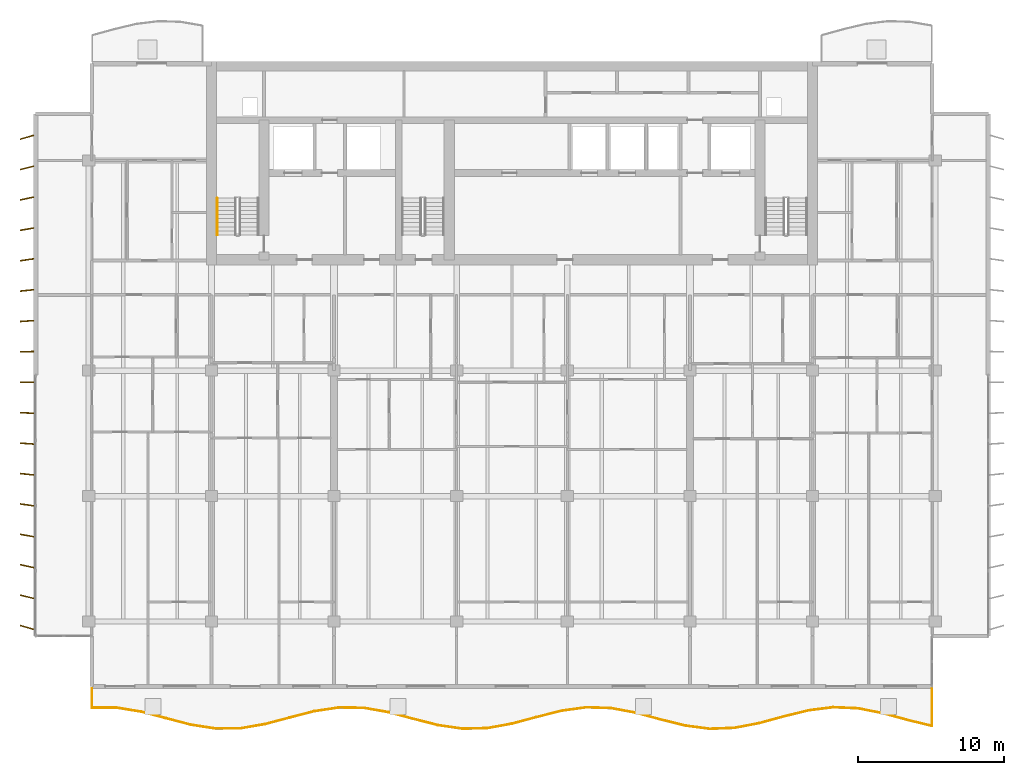
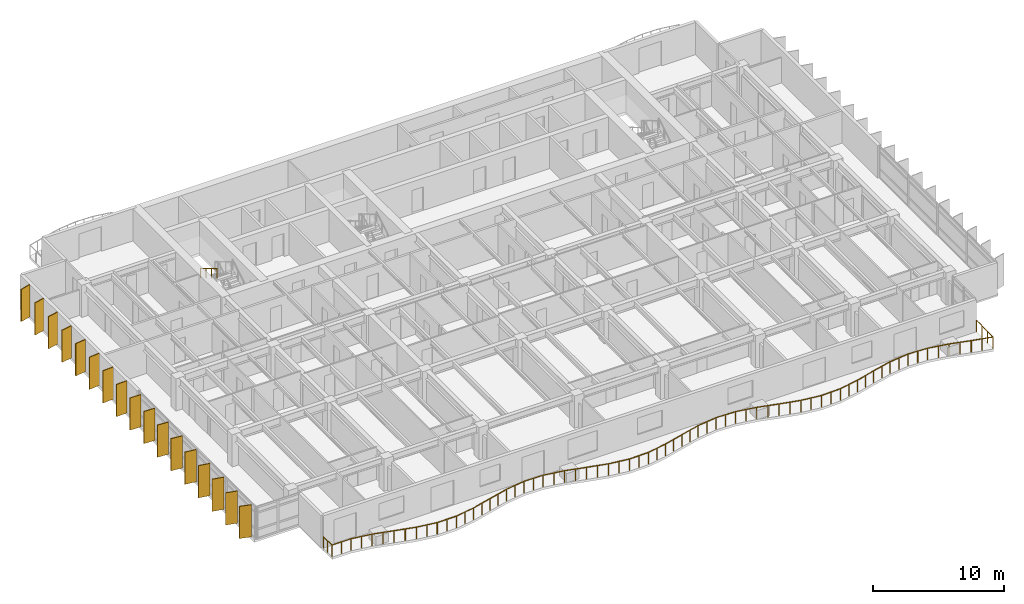
# One storey, part 15 of 18: 17 shading devices, 2 railings.
"""IFC4 building model written with IfcOpenShell, lengths in metres."""

from ifc_helpers import new_model, si_unit, direction, frame, origin, origin_2d, place, context, subcontext, project, spatial, rectangle, circle, extrude, material, material_profile, profile_set, type_object, element, save


model = new_model("IFC4")

# Units and contexts
model_context = context("Model", 3, precision=1e-05, world=origin(), true_north=direction((0.0, 1.0)))
body_context = subcontext(model_context, "Body", "Model", "MODEL_VIEW")
ifc_project = project(units=[si_unit("LENGTHUNIT", "METRE"), si_unit("AREAUNIT", "SQUARE_METRE"), si_unit("VOLUMEUNIT", "CUBIC_METRE"), si_unit("PLANEANGLEUNIT", "RADIAN"), si_unit("MASSUNIT", "GRAM", prefix="KILO")], contexts=[model_context])

# Site, building, storey
site_placement = place(None, origin())
site = spatial("IfcSite", under=ifc_project, at=site_placement, CompositionType="ELEMENT")
building_placement = place(site_placement, origin())
building = spatial("IfcBuilding", under=site, at=building_placement, Name="Caelmar Bay Residences", CompositionType="ELEMENT")
storey_placement = place(building_placement, frame((0.0, 0.0, 180.300048828125)))
storey = spatial("IfcBuildingStorey", under=building, at=storey_placement, Name="L50", CompositionType="ELEMENT", Elevation=180.300048828125)

# Railings
ifc_material_1 = material(Name="Anodised bronze handrail with laminated hurricane glass infill", Category="glass")
railing_type_1 = type_object("IfcRailingType", Name="RL-BAL-1100", PredefinedType="BALUSTRADE", material=ifc_material_1)
railing_1_placement = place(storey_placement, frame((10.10009765625, 7.60009765625, 0.0)))
element("IfcRailing", 1, at=railing_1_placement, inside=storey, type_object=railing_type_1, Name="L50 south Balcony Balustrade", PredefinedType="BALUSTRADE", context=body_context, shape_type="SweptSolid", body=[
    extrude(circle(Radius=0.02392578125, at=origin_2d()), frame((0.0, 0.0, 1.076171875), z_axis=(0.0, -1.0, 0.0), x_axis=(1.0, 0.0, 0.0)), (0.0, 0.0, 1.0), 1.306884765625),
    extrude(circle(Radius=0.02392578125, at=origin_2d()), frame((0.0, -1.306884765625, 1.076171875), z_axis=(0.999999740393, -0.000720564736, 0.0), x_axis=(0.000720564736, 0.999999740393, 0.0)), (0.0, 0.0, 1.0), 1.694091796875),
    extrude(circle(Radius=0.02392578125, at=origin_2d()), frame((1.694091796875, -1.30810546875, 1.076171875), z_axis=(0.98683994476, -0.161700103357, 0.0), x_axis=(0.161700103357, 0.98683994476, 0.0)), (0.0, 0.0, 1.0), 1.716796875),
    extrude(circle(Radius=0.02392578125, at=origin_2d()), frame((3.38818359375, -1.585693359375, 1.076171875), z_axis=(0.96700771303, -0.25474709604, 0.0), x_axis=(0.25474709604, 0.96700771303, 0.0)), (0.0, 0.0, 1.0), 1.751953125),
    extrude(circle(Radius=0.02392578125, at=origin_2d()), frame((5.082275390625, -2.031982421875, 1.076171875), z_axis=(0.967657244717, -0.252268620218, 0.0), x_axis=(0.252268620218, 0.967657244717, 0.0)), (0.0, 0.0, 1.0), 1.750732421875),
    extrude(circle(Radius=0.02392578125, at=origin_2d()), frame((6.7763671875, -2.4736328125, 1.076171875), z_axis=(0.987929781528, -0.154902378196, 0.0), x_axis=(0.154902378196, 0.987929781528, 0.0)), (0.0, 0.0, 1.0), 1.71484375),
    extrude(circle(Radius=0.02392578125, at=origin_2d()), frame((8.470458984375, -2.7392578125, 1.076171875), z_axis=(0.999967436501, 0.008070064338, 0.0), x_axis=(-0.008070064338, 0.999967436501, 0.0)), (0.0, 0.0, 1.0), 1.694091796875),
    extrude(circle(Radius=0.02392578125, at=origin_2d()), frame((10.16455078125, -2.7255859375, 1.076171875), z_axis=(0.985917520991, 0.16723229892, 0.0), x_axis=(-0.16723229892, 0.985917520991, 0.0)), (0.0, 0.0, 1.0), 1.71826171875),
    extrude(circle(Radius=0.02392578125, at=origin_2d()), frame((11.858642578125, -2.438232421875, 1.076171875), z_axis=(0.966491066483, 0.256700250112, 0.0), x_axis=(-0.256700250112, 0.966491066483, 0.0)), (0.0, 0.0, 1.0), 1.7529296875),
    extrude(circle(Radius=0.02392578125, at=origin_2d()), frame((13.552734375, -1.98828125, 1.076171875), z_axis=(0.968242469272, 0.250013041057, 0.0), x_axis=(-0.250013041057, 0.968242469272, 0.0)), (0.0, 0.0, 1.0), 1.75),
    extrude(circle(Radius=0.02392578125, at=origin_2d()), frame((15.2470703125, -1.55078125, 1.076171875), z_axis=(0.988849425774, 0.148918813941, 0.0), x_axis=(-0.148918813941, 0.988849425774, 0.0)), (0.0, 0.0, 1.0), 1.713134765625),
    extrude(circle(Radius=0.02392578125, at=origin_2d()), frame((16.941162109375, -1.295654296875, 1.076171875), z_axis=(0.99988334269, -0.015274194311, 0.0), x_axis=(0.015274194311, 0.99988334269, 0.0)), (0.0, 0.0, 1.0), 1.6943359375),
    extrude(circle(Radius=0.02392578125, at=origin_2d()), frame((18.63525390625, -1.321533203125, 1.076171875), z_axis=(0.984965924128, -0.172748743286, 0.0), x_axis=(0.172748743286, 0.984965924128, 0.0)), (0.0, 0.0, 1.0), 1.719970703125),
    extrude(circle(Radius=0.02392578125, at=origin_2d()), frame((20.329345703125, -1.61865234375, 1.076171875), z_axis=(0.966075311356, -0.258260513412, 0.0), x_axis=(0.258260513412, 0.966075311356, 0.0)), (0.0, 0.0, 1.0), 1.753662109375),
    extrude(circle(Radius=0.02392578125, at=origin_2d()), frame((22.0234375, -2.071533203125, 1.076171875), z_axis=(0.968872833609, -0.247558947109, 0.0), x_axis=(0.247558947109, 0.968872833609, 0.0)), (0.0, 0.0, 1.0), 1.74853515625),
    extrude(circle(Radius=0.02392578125, at=origin_2d()), frame((23.717529296875, -2.50439453125, 1.076171875), z_axis=(0.9896940211, -0.143198270238, 0.0), x_axis=(0.143198270238, 0.9896940211, 0.0)), (0.0, 0.0, 1.0), 1.711669921875),
    extrude(circle(Radius=0.02392578125, at=origin_2d()), frame((25.41162109375, -2.74951171875, 1.076171875), z_axis=(0.99974413621, 0.022619949472, 0.0), x_axis=(-0.022619949472, 0.99974413621, 0.0)), (0.0, 0.0, 1.0), 1.694580078125),
    extrude(circle(Radius=0.02392578125, at=origin_2d()), frame((27.105712890625, -2.711181640625, 1.076171875), z_axis=(0.984035125029, 0.177974359693, 0.0), x_axis=(-0.177974359693, 0.984035125029, 0.0)), (0.0, 0.0, 1.0), 1.7216796875),
    extrude(circle(Radius=0.02392578125, at=origin_2d()), frame((28.7998046875, -2.40478515625, 1.076171875), z_axis=(0.965657399283, 0.259818758389, 0.0), x_axis=(-0.259818758389, 0.965657399283, 0.0)), (0.0, 0.0, 1.0), 1.75439453125),
    extrude(circle(Radius=0.02392578125, at=origin_2d()), frame((30.493896484375, -1.948974609375, 1.076171875), z_axis=(0.969506355207, 0.245066169049, 0.0), x_axis=(-0.245066169049, 0.969506355207, 0.0)), (0.0, 0.0, 1.0), 1.747314453125),
    extrude(circle(Radius=0.02392578125, at=origin_2d()), frame((32.18798828125, -1.520751953125, 1.076171875), z_axis=(0.990567757977, 0.137023782083, 0.0), x_axis=(-0.137023782083, 0.990567757977, 0.0)), (0.0, 0.0, 1.0), 1.71044921875),
    extrude(circle(Radius=0.02392578125, at=origin_2d()), frame((33.88232421875, -1.286376953125, 1.076171875), z_axis=(0.999555340909, -0.02981812301, 0.0), x_axis=(0.02981812301, 0.999555340909, 0.0)), (0.0, 0.0, 1.0), 1.69482421875),
    extrude(circle(Radius=0.02392578125, at=origin_2d()), frame((35.576416015625, -1.3369140625, 1.076171875), z_axis=(0.983078465562, -0.183184962671, 0.0), x_axis=(0.183184962671, 0.983078465562, 0.0)), (0.0, 0.0, 1.0), 1.72314453125),
    extrude(circle(Radius=0.02392578125, at=origin_2d()), frame((37.2705078125, -1.652587890625, 1.076171875), z_axis=(0.965272426357, -0.261245369174, 0.0), x_axis=(0.261245369174, 0.965272426357, 0.0)), (0.0, 0.0, 1.0), 1.755126953125),
    extrude(circle(Radius=0.02392578125, at=origin_2d()), frame((38.964599609375, -2.111083984375, 1.076171875), z_axis=(0.970200045105, -0.242305329034, 0.0), x_axis=(0.242305329034, 0.970200045105, 0.0)), (0.0, 0.0, 1.0), 1.74609375),
    extrude(circle(Radius=0.02392578125, at=origin_2d()), frame((40.65869140625, -2.5341796875, 1.076171875), z_axis=(0.991399256235, -0.130872131245, 0.0), x_axis=(0.130872131245, 0.991399256235, 0.0)), (0.0, 0.0, 1.0), 1.708740234375),
    extrude(circle(Radius=0.02392578125, at=origin_2d()), frame((42.352783203125, -2.7578125, 1.076171875), z_axis=(0.999315031004, 0.037006334722, 0.0), x_axis=(-0.037006334722, 0.999315031004, 0.0)), (0.0, 0.0, 1.0), 1.695556640625),
    extrude(circle(Radius=0.02392578125, at=origin_2d()), frame((44.047119140625, -2.695068359375, 1.076171875), z_axis=(0.982122357756, 0.188243656985, 0.0), x_axis=(-0.188243656985, 0.982122357756, 0.0)), (0.0, 0.0, 1.0), 1.724853515625),
    extrude(circle(Radius=0.02392578125, at=origin_2d()), frame((45.7412109375, -2.370361328125, 1.076171875), z_axis=(0.964956111271, 0.262411324682, 0.0), x_axis=(-0.262411324682, 0.964956111271, 0.0)), (0.0, 0.0, 1.0), 1.755615234375),
    extrude(circle(Radius=0.02392578125, at=origin_2d()), frame((47.435302734375, -1.90966796875, 1.076171875), z_axis=(0.970919375996, 0.239406694384, 0.0), x_axis=(-0.239406694384, 0.970919375996, 0.0)), (0.0, 0.0, 1.0), 1.744873046875),
    extrude(circle(Radius=0.02392578125, at=origin_2d()), frame((49.12939453125, -1.491943359375, 1.076171875), z_axis=(0.992213949517, 0.124545085751, 0.0), x_axis=(-0.124545085751, 0.992213949517, 0.0)), (0.0, 0.0, 1.0), 1.707275390625),
    extrude(circle(Radius=0.02392578125, at=origin_2d()), frame((50.823486328125, -1.279296875, 1.076171875), z_axis=(0.999029073797, -0.044055756821, 0.0), x_axis=(0.044055756821, 0.999029073797, 0.0)), (0.0, 0.0, 1.0), 1.69580078125),
    extrude(circle(Radius=0.02392578125, at=origin_2d()), frame((52.517578125, -1.35400390625, 1.076171875), z_axis=(0.981168985124, -0.193151294665, 0.0), x_axis=(0.193151294665, 0.981168985124, 0.0)), (0.0, 0.0, 1.0), 1.7265625),
    extrude(circle(Radius=0.02392578125, at=origin_2d()), frame((54.211669921875, -1.6875, 1.076171875), z_axis=(0.964673935387, -0.263446765753, 0.0), x_axis=(0.263446765753, 0.964673935387, 0.0)), (0.0, 0.0, 1.0), 1.756103515625),
    extrude(circle(Radius=0.02392578125, at=origin_2d()), frame((55.90576171875, -2.150146484375, 1.076171875), z_axis=(0.971663257261, -0.236369444914, 0.0), x_axis=(0.236369444914, 0.971663257261, 0.0)), (0.0, 0.0, 1.0), 1.743408203125),
    extrude(circle(Radius=0.02392578125, at=origin_2d()), frame((57.599853515625, -2.562255859375, 1.076171875), z_axis=(0.0, 1.0, 0.0), x_axis=(-1.0, 0.0, 0.0)), (0.0, 0.0, 1.0), 2.562255859375),
    extrude(circle(Radius=0.02099609375, at=origin_2d()), origin(), (0.0, 0.0, 1.0), 1.052001953125),
    extrude(circle(Radius=0.02099609375, at=origin_2d()), frame((0.0, -0.6533203125, 0.0)), (0.0, 0.0, 1.0), 1.052001953125),
    extrude(circle(Radius=0.02099609375, at=origin_2d()), frame((0.0, -1.306884765625, 0.0)), (0.0, 0.0, 1.0), 1.052001953125),
    extrude(circle(Radius=0.02099609375, at=origin_2d()), frame((0.84716796875, -1.3076171875, 0.0)), (0.0, 0.0, 1.0), 1.052001953125),
    extrude(circle(Radius=0.02099609375, at=origin_2d()), frame((1.694091796875, -1.30810546875, 0.0)), (0.0, 0.0, 1.0), 1.052001953125),
    extrude(circle(Radius=0.02099609375, at=origin_2d()), frame((2.541015625, -1.44677734375, 0.0)), (0.0, 0.0, 1.0), 1.052001953125),
    extrude(circle(Radius=0.02099609375, at=origin_2d()), frame((3.38818359375, -1.585693359375, 0.0)), (0.0, 0.0, 1.0), 1.052001953125),
    extrude(circle(Radius=0.02099609375, at=origin_2d()), frame((4.2353515625, -1.808837890625, 0.0)), (0.0, 0.0, 1.0), 1.052001953125),
    extrude(circle(Radius=0.02099609375, at=origin_2d()), frame((5.082275390625, -2.031982421875, 0.0)), (0.0, 0.0, 1.0), 1.052001953125),
    extrude(circle(Radius=0.02099609375, at=origin_2d()), frame((5.92919921875, -2.2529296875, 0.0)), (0.0, 0.0, 1.0), 1.052001953125),
    extrude(circle(Radius=0.02099609375, at=origin_2d()), frame((6.7763671875, -2.4736328125, 0.0)), (0.0, 0.0, 1.0), 1.052001953125),
    extrude(circle(Radius=0.02099609375, at=origin_2d()), frame((7.62353515625, -2.6064453125, 0.0)), (0.0, 0.0, 1.0), 1.052001953125),
    extrude(circle(Radius=0.02099609375, at=origin_2d()), frame((8.470458984375, -2.7392578125, 0.0)), (0.0, 0.0, 1.0), 1.052001953125),
    extrude(circle(Radius=0.02099609375, at=origin_2d()), frame((9.3173828125, -2.732421875, 0.0)), (0.0, 0.0, 1.0), 1.052001953125),
    extrude(circle(Radius=0.02099609375, at=origin_2d()), frame((10.16455078125, -2.7255859375, 0.0)), (0.0, 0.0, 1.0), 1.052001953125),
    extrude(circle(Radius=0.02099609375, at=origin_2d()), frame((11.01171875, -2.58203125, 0.0)), (0.0, 0.0, 1.0), 1.052001953125),
    extrude(circle(Radius=0.02099609375, at=origin_2d()), frame((11.858642578125, -2.438232421875, 0.0)), (0.0, 0.0, 1.0), 1.052001953125),
    extrude(circle(Radius=0.02099609375, at=origin_2d()), frame((12.70556640625, -2.21337890625, 0.0)), (0.0, 0.0, 1.0), 1.052001953125),
    extrude(circle(Radius=0.02099609375, at=origin_2d()), frame((13.552734375, -1.98828125, 0.0)), (0.0, 0.0, 1.0), 1.052001953125),
    extrude(circle(Radius=0.02099609375, at=origin_2d()), frame((14.39990234375, -1.76953125, 0.0)), (0.0, 0.0, 1.0), 1.052001953125),
    extrude(circle(Radius=0.02099609375, at=origin_2d()), frame((15.2470703125, -1.55078125, 0.0)), (0.0, 0.0, 1.0), 1.052001953125),
    extrude(circle(Radius=0.02099609375, at=origin_2d()), frame((16.09423828125, -1.42333984375, 0.0)), (0.0, 0.0, 1.0), 1.052001953125),
    extrude(circle(Radius=0.02099609375, at=origin_2d()), frame((16.941162109375, -1.295654296875, 0.0)), (0.0, 0.0, 1.0), 1.052001953125),
    extrude(circle(Radius=0.02099609375, at=origin_2d()), frame((17.7880859375, -1.30859375, 0.0)), (0.0, 0.0, 1.0), 1.052001953125),
    extrude(circle(Radius=0.02099609375, at=origin_2d()), frame((18.63525390625, -1.321533203125, 0.0)), (0.0, 0.0, 1.0), 1.052001953125),
    extrude(circle(Radius=0.02099609375, at=origin_2d()), frame((19.482421875, -1.47021484375, 0.0)), (0.0, 0.0, 1.0), 1.052001953125),
    extrude(circle(Radius=0.02099609375, at=origin_2d()), frame((20.329345703125, -1.61865234375, 0.0)), (0.0, 0.0, 1.0), 1.052001953125),
    extrude(circle(Radius=0.02099609375, at=origin_2d()), frame((21.17626953125, -1.84521484375, 0.0)), (0.0, 0.0, 1.0), 1.052001953125),
    extrude(circle(Radius=0.02099609375, at=origin_2d()), frame((22.0234375, -2.071533203125, 0.0)), (0.0, 0.0, 1.0), 1.052001953125),
    extrude(circle(Radius=0.02099609375, at=origin_2d()), frame((22.87060546875, -2.2880859375, 0.0)), (0.0, 0.0, 1.0), 1.052001953125),
    extrude(circle(Radius=0.02099609375, at=origin_2d()), frame((23.717529296875, -2.50439453125, 0.0)), (0.0, 0.0, 1.0), 1.052001953125),
    extrude(circle(Radius=0.02099609375, at=origin_2d()), frame((24.564453125, -2.626953125, 0.0)), (0.0, 0.0, 1.0), 1.052001953125),
    extrude(circle(Radius=0.02099609375, at=origin_2d()), frame((25.41162109375, -2.74951171875, 0.0)), (0.0, 0.0, 1.0), 1.052001953125),
    extrude(circle(Radius=0.02099609375, at=origin_2d()), frame((26.2587890625, -2.73046875, 0.0)), (0.0, 0.0, 1.0), 1.052001953125),
    extrude(circle(Radius=0.02099609375, at=origin_2d()), frame((27.105712890625, -2.711181640625, 0.0)), (0.0, 0.0, 1.0), 1.052001953125),
    extrude(circle(Radius=0.02099609375, at=origin_2d()), frame((27.95263671875, -2.55810546875, 0.0)), (0.0, 0.0, 1.0), 1.052001953125),
    extrude(circle(Radius=0.02099609375, at=origin_2d()), frame((28.7998046875, -2.40478515625, 0.0)), (0.0, 0.0, 1.0), 1.052001953125),
    extrude(circle(Radius=0.02099609375, at=origin_2d()), frame((29.64697265625, -2.1767578125, 0.0)), (0.0, 0.0, 1.0), 1.052001953125),
    extrude(circle(Radius=0.02099609375, at=origin_2d()), frame((30.493896484375, -1.948974609375, 0.0)), (0.0, 0.0, 1.0), 1.052001953125),
    extrude(circle(Radius=0.02099609375, at=origin_2d()), frame((31.3408203125, -1.73486328125, 0.0)), (0.0, 0.0, 1.0), 1.052001953125),
    extrude(circle(Radius=0.02099609375, at=origin_2d()), frame((32.18798828125, -1.520751953125, 0.0)), (0.0, 0.0, 1.0), 1.052001953125),
    extrude(circle(Radius=0.02099609375, at=origin_2d()), frame((33.03515625, -1.403564453125, 0.0)), (0.0, 0.0, 1.0), 1.052001953125),
    extrude(circle(Radius=0.02099609375, at=origin_2d()), frame((33.88232421875, -1.286376953125, 0.0)), (0.0, 0.0, 1.0), 1.052001953125),
    extrude(circle(Radius=0.02099609375, at=origin_2d()), frame((34.7294921875, -1.3115234375, 0.0)), (0.0, 0.0, 1.0), 1.052001953125),
    extrude(circle(Radius=0.02099609375, at=origin_2d()), frame((35.576416015625, -1.3369140625, 0.0)), (0.0, 0.0, 1.0), 1.052001953125),
    extrude(circle(Radius=0.02099609375, at=origin_2d()), frame((36.42333984375, -1.49462890625, 0.0)), (0.0, 0.0, 1.0), 1.052001953125),
    extrude(circle(Radius=0.02099609375, at=origin_2d()), frame((37.2705078125, -1.652587890625, 0.0)), (0.0, 0.0, 1.0), 1.052001953125),
    extrude(circle(Radius=0.02099609375, at=origin_2d()), frame((38.11767578125, -1.8818359375, 0.0)), (0.0, 0.0, 1.0), 1.052001953125),
    extrude(circle(Radius=0.02099609375, at=origin_2d()), frame((38.964599609375, -2.111083984375, 0.0)), (0.0, 0.0, 1.0), 1.052001953125),
    extrude(circle(Radius=0.02099609375, at=origin_2d()), frame((39.8115234375, -2.32275390625, 0.0)), (0.0, 0.0, 1.0), 1.052001953125),
    extrude(circle(Radius=0.02099609375, at=origin_2d()), frame((40.65869140625, -2.5341796875, 0.0)), (0.0, 0.0, 1.0), 1.052001953125),
    extrude(circle(Radius=0.02099609375, at=origin_2d()), frame((41.505859375, -2.64599609375, 0.0)), (0.0, 0.0, 1.0), 1.052001953125),
    extrude(circle(Radius=0.02099609375, at=origin_2d()), frame((42.352783203125, -2.7578125, 0.0)), (0.0, 0.0, 1.0), 1.052001953125),
    extrude(circle(Radius=0.02099609375, at=origin_2d()), frame((43.199951171875, -2.7265625, 0.0)), (0.0, 0.0, 1.0), 1.052001953125),
    extrude(circle(Radius=0.02099609375, at=origin_2d()), frame((44.047119140625, -2.695068359375, 0.0)), (0.0, 0.0, 1.0), 1.052001953125),
    extrude(circle(Radius=0.02099609375, at=origin_2d()), frame((44.89404296875, -2.53271484375, 0.0)), (0.0, 0.0, 1.0), 1.052001953125),
    extrude(circle(Radius=0.02099609375, at=origin_2d()), frame((45.7412109375, -2.370361328125, 0.0)), (0.0, 0.0, 1.0), 1.052001953125),
    extrude(circle(Radius=0.02099609375, at=origin_2d()), frame((46.58837890625, -2.14013671875, 0.0)), (0.0, 0.0, 1.0), 1.052001953125),
    extrude(circle(Radius=0.02099609375, at=origin_2d()), frame((47.435302734375, -1.90966796875, 0.0)), (0.0, 0.0, 1.0), 1.052001953125),
    extrude(circle(Radius=0.02099609375, at=origin_2d()), frame((48.2822265625, -1.70068359375, 0.0)), (0.0, 0.0, 1.0), 1.052001953125),
    extrude(circle(Radius=0.02099609375, at=origin_2d()), frame((49.12939453125, -1.491943359375, 0.0)), (0.0, 0.0, 1.0), 1.052001953125),
    extrude(circle(Radius=0.02099609375, at=origin_2d()), frame((49.9765625, -1.3857421875, 0.0)), (0.0, 0.0, 1.0), 1.052001953125),
    extrude(circle(Radius=0.02099609375, at=origin_2d()), frame((50.823486328125, -1.279296875, 0.0)), (0.0, 0.0, 1.0), 1.052001953125),
    extrude(circle(Radius=0.02099609375, at=origin_2d()), frame((51.67041015625, -1.316650390625, 0.0)), (0.0, 0.0, 1.0), 1.052001953125),
    extrude(circle(Radius=0.02099609375, at=origin_2d()), frame((52.517578125, -1.35400390625, 0.0)), (0.0, 0.0, 1.0), 1.052001953125),
    extrude(circle(Radius=0.02099609375, at=origin_2d()), frame((53.36474609375, -1.520751953125, 0.0)), (0.0, 0.0, 1.0), 1.052001953125),
    extrude(circle(Radius=0.02099609375, at=origin_2d()), frame((54.211669921875, -1.6875, 0.0)), (0.0, 0.0, 1.0), 1.052001953125),
    extrude(circle(Radius=0.02099609375, at=origin_2d()), frame((55.05859375, -1.9189453125, 0.0)), (0.0, 0.0, 1.0), 1.052001953125),
    extrude(circle(Radius=0.02099609375, at=origin_2d()), frame((55.90576171875, -2.150146484375, 0.0)), (0.0, 0.0, 1.0), 1.052001953125),
    extrude(circle(Radius=0.02099609375, at=origin_2d()), frame((56.7529296875, -2.356201171875, 0.0)), (0.0, 0.0, 1.0), 1.052001953125),
    extrude(circle(Radius=0.02099609375, at=origin_2d()), frame((57.599853515625, -2.562255859375, 0.0)), (0.0, 0.0, 1.0), 1.052001953125),
    extrude(circle(Radius=0.02099609375, at=origin_2d()), frame((57.599853515625, -1.708251953125, 0.0)), (0.0, 0.0, 1.0), 1.052001953125),
    extrude(circle(Radius=0.02099609375, at=origin_2d()), frame((57.599853515625, -0.85400390625, 0.0)), (0.0, 0.0, 1.0), 1.052001953125),
    extrude(circle(Radius=0.02099609375, at=origin_2d()), frame((57.599853515625, 0.0, 0.0)), (0.0, 0.0, 1.0), 1.052001953125),
])
ifc_material_2 = material(Name="Brushed bronze stainless-steel tubular handrail 900 mm", Category="steel")
railing_type_2 = type_object("IfcRailingType", Name="RL-HND-900", PredefinedType="HANDRAIL", material=ifc_material_2)
railing_2_placement = place(storey_placement, frame((18.699951171875, 41.219970703125, 1.81494140625)))
element("IfcRailing", 2, at=railing_2_placement, inside=storey, type_object=railing_type_2, Name="L50 ST1 stair handrail 2", PredefinedType="HANDRAIL", context=body_context, shape_type="SweptSolid", body=[
    extrude(circle(Radius=0.02392578125, at=origin_2d()), frame((0.0, 0.0, 0.8759765625), z_axis=(0.0, -0.86152411907, 0.507716645641), x_axis=(1.0, 0.0, 0.0)), (0.0, 0.0, 1.0), 2.925048828125),
    extrude(circle(Radius=0.02099609375, at=origin_2d()), origin(), (0.0, 0.0, 1.0), 0.851806640625),
    extrude(circle(Radius=0.02099609375, at=origin_2d()), frame((0.0, -0.840087890625, 0.4951171875)), (0.0, 0.0, 1.0), 0.851806640625),
    extrude(circle(Radius=0.02099609375, at=origin_2d()), frame((0.0, -1.679931640625, 0.989990234375)), (0.0, 0.0, 1.0), 0.851806640625),
    extrude(circle(Radius=0.02099609375, at=origin_2d()), frame((0.0, -2.52001953125, 1.485107421875)), (0.0, 0.0, 1.0), 0.851806640625),
])

# Shading devices
ifc_material_3 = material(Name="Anodised architectural bronze aluminium 6063-T6", Category="aluminium")
ifc_material_profile = material_profile(ifc_material_3, rectangle(XDim=0.074951171875, YDim=0.949951171875, at=origin_2d()), Name="BRONZE-FIN-75X950")
ifc_profile_set = profile_set([ifc_material_profile], Name="Anodised architectural bronze aluminium 6063-T6")
shading_device_type = type_object("IfcShadingDeviceType", Name="SHD-FIN-950", PredefinedType="USERDEFINED", material=ifc_profile_set)
for number, where, z_axis, x_axis, name in (
    (3, (5.64990234375, 11.800048828125, 0.0), (0.0, 0.0, 1.0), (0.275637355817, 0.961261695938, 0.0), "L50 West Bronze Solar Fin 1"),
    (4, (5.64990234375, 13.89990234375, 0.0), (0.0, 0.0, 1.0), (0.2419218956, 0.970295726276, 0.0), "L50 West Bronze Solar Fin 2"),
    (5, (5.64990234375, 16.0, 0.0), (0.0, 0.0, 1.0), (0.207911690818, 0.978147600734, 0.0), "L50 West Bronze Solar Fin 3"),
    (6, (5.64990234375, 18.10009765625, 0.0), (0.0, 0.0, 1.0), (0.173648177667, 0.984807753012, 0.0), "L50 West Bronze Solar Fin 4"),
    (7, (5.64990234375, 20.199951171875, 0.0), (0.0, 0.0, 1.0), (0.13917310096, 0.990268068742, 0.0), "L50 West Bronze Solar Fin 5"),
    (8, (5.64990234375, 22.300048828125, 0.0), (0.0, 0.0, 1.0), (0.104528463268, 0.994521895368, 0.0), "L50 West Bronze Solar Fin 6"),
    (9, (5.64990234375, 24.39990234375, 0.0), (0.0, 0.0, 1.0), (0.069756473744, 0.99756405026, 0.0), "L50 West Bronze Solar Fin 7"),
    (10, (5.64990234375, 26.5, 0.0), (0.0, 0.0, 1.0), (0.034899496703, 0.999390827019, 0.0), "L50 West Bronze Solar Fin 8"),
    (11, (5.64990234375, 28.60009765625, 0.0), (0.0, 0.0, 1.0), (0.0, 1.0, 0.0), "L50 West Bronze Solar Fin 9"),
    (12, (5.64990234375, 30.699951171875, 0.0), (0.0, 0.0, 1.0), (-0.034899496703, 0.999390827019, 0.0), "L50 West Bronze Solar Fin 10"),
    (13, (5.64990234375, 32.800048828125, 0.0), (0.0, 0.0, 1.0), (-0.069756473744, 0.99756405026, 0.0), "L50 West Bronze Solar Fin 11"),
    (14, (5.64990234375, 34.89990234375, 0.0), (0.0, 0.0, 1.0), (-0.104528463268, 0.994521895368, 0.0), "L50 West Bronze Solar Fin 12"),
    (15, (5.64990234375, 37.0, 0.0), (0.0, 0.0, 1.0), (-0.13917310096, 0.990268068742, 0.0), "L50 West Bronze Solar Fin 13"),
    (16, (5.64990234375, 39.10009765625, 0.0), (0.0, 0.0, 1.0), (-0.173648177667, 0.984807753012, 0.0), "L50 West Bronze Solar Fin 14"),
    (17, (5.64990234375, 41.199951171875, 0.0), (0.0, 0.0, 1.0), (-0.207911690818, 0.978147600734, 0.0), "L50 West Bronze Solar Fin 15"),
    (18, (5.64990234375, 43.300048828125, 0.0), (0.0, 0.0, 1.0), (-0.2419218956, 0.970295726276, 0.0), "L50 West Bronze Solar Fin 16"),
    (19, (5.64990234375, 45.39990234375, 0.0), (0.0, 0.0, 1.0), (-0.275637355817, 0.961261695938, 0.0), "L50 West Bronze Solar Fin 17"),
):
    element("IfcShadingDevice", number, at=place(storey_placement, frame(where, z_axis=z_axis, x_axis=x_axis)), inside=storey, type_object=shading_device_type, Name=name, ObjectType="FIN", PredefinedType="USERDEFINED", context=body_context, shape_type="SweptSolid", body=[
        extrude(rectangle(XDim=0.074951171875, YDim=0.949951171875, at=origin_2d()), origin(), (0.0, 0.0, 1.0), 3.0),
    ])

save(model, "model.ifc")
